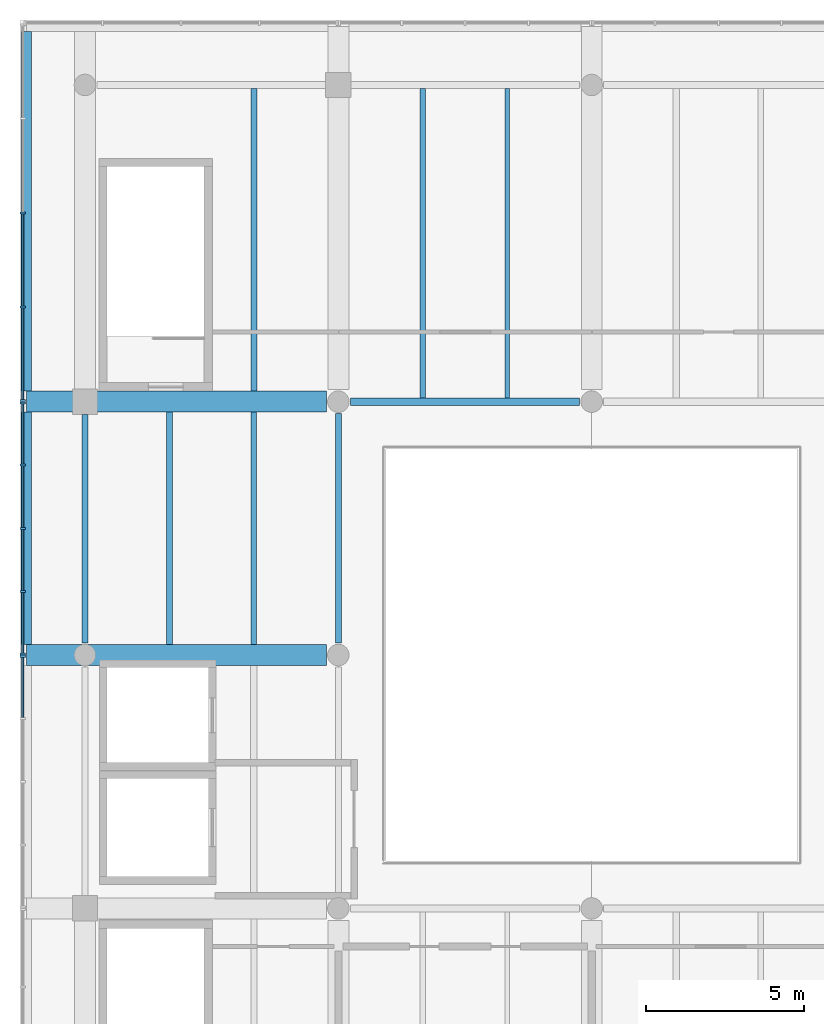
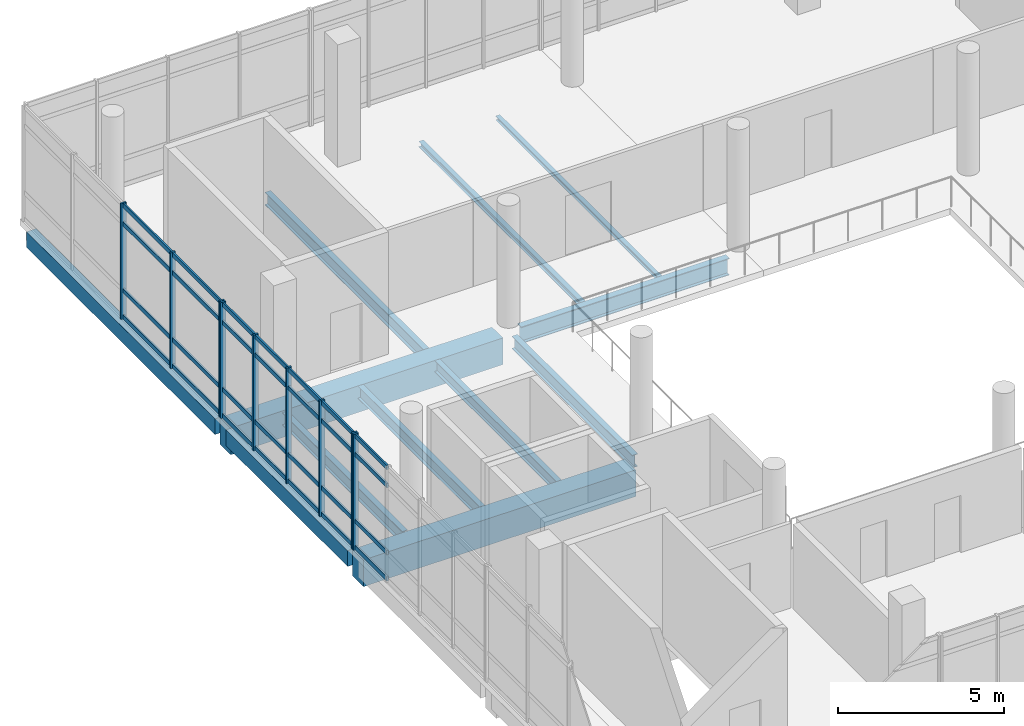
# One storey, part 5 of 15: 37 members, 12 beams, 3 elements without a shape of their own.
"""IFC4 building model written with IfcOpenShell, lengths in metres."""

import ifcopenshell
import ifcopenshell.guid

model = None  # the IFC model being written
_history = None  # IfcOwnerHistory: only IFC2X3 demands one
_inside = {}  # id of a spatial element -> (the spatial element, [elements in it])
_under = {}  # id of a project, library or spatial element -> (it, [spatial elements below it])
_declared = {}  # id of a project -> (the project, [libraries it declares])
_typed = {}  # id of a type object -> (the type object, [elements of that type])
_made_of = {}  # id of a material, layer set ... -> (it, [elements and type objects made of it])


def new_model(schema):
    """Start an empty IFC model of exactly this schema.

    Asked for "IFC4X3", IfcOpenShell would pick the latest addendum, in which some entities
    have other attributes; the version numbers below select the first issue.
    IFC2X3 requires an IfcOwnerHistory on every rooted entity: one is made here for all.
    """
    global model, _history
    if schema == "IFC4X3":
        model = ifcopenshell.file(schema_version=(4, 3, 0, 0))
    else:
        model = ifcopenshell.file(schema=schema)
    _inside.clear()
    _under.clear()
    _declared.clear()
    _typed.clear()
    _made_of.clear()
    _history = None
    if model.schema == "IFC2X3":
        org = make("IfcOrganization", Name="unknown")
        user = make(
            "IfcPersonAndOrganization",
            ThePerson=make("IfcPerson", FamilyName="unknown"),
            TheOrganization=org,
        )
        app = make(
            "IfcApplication",
            ApplicationDeveloper=org,
            Version="unknown",
            ApplicationFullName="unknown",
            ApplicationIdentifier="unknown",
        )
        _history = make(
            "IfcOwnerHistory",
            OwningUser=user,
            OwningApplication=app,
            ChangeAction="ADDED",
            CreationDate=0,
        )
    return model


def make(cls, **values):
    """One entity of the class cls with the attributes given. An attribute that is None is left unset."""
    return model.create_entity(
        cls, **{name: value for name, value in values.items() if value is not None}
    )


def rooted(cls, **values):
    """An entity with a GlobalId (a new one), such as an element, a storey or a relation."""
    return make(cls, GlobalId=ifcopenshell.guid.new(), OwnerHistory=_history, **values)


def si_unit(unit_type, name, prefix=None):
    """IfcSIUnit, for example si_unit("LENGTHUNIT", "METRE", prefix="MILLI")."""
    return make("IfcSIUnit", UnitType=unit_type, Prefix=prefix, Name=name)


def assignment(units):
    """IfcUnitAssignment: the units of a project."""
    return None if units is None else make("IfcUnitAssignment", Units=units)


def point(xyz):
    """IfcCartesianPoint."""
    return None if xyz is None else make("IfcCartesianPoint", Coordinates=xyz)


def direction(xyz):
    """IfcDirection."""
    return None if xyz is None else make("IfcDirection", DirectionRatios=xyz)


def frame(location, z_axis=None, x_axis=None):
    """IfcAxis2Placement3D, a coordinate frame: its origin and axes. An axis left out is left unset."""
    return make(
        "IfcAxis2Placement3D",
        Location=point(location),
        Axis=direction(z_axis),
        RefDirection=direction(x_axis),
    )


def frame_2d(location, x_axis=None):
    """IfcAxis2Placement2D, a coordinate frame in the plane: its origin and x axis."""
    return make(
        "IfcAxis2Placement2D", Location=point(location), RefDirection=direction(x_axis)
    )


def origin():
    """The frame at (0, 0, 0) with its axes left unset."""
    return frame((0.0, 0.0, 0.0))


def origin_2d():
    """The frame at (0, 0) in the plane with its x axis left unset."""
    return frame_2d((0.0, 0.0))


def place(relative_to, where):
    """IfcLocalPlacement: puts the frame where relative to a parent placement (None: the world)."""
    return make(
        "IfcLocalPlacement", PlacementRelTo=relative_to, RelativePlacement=where
    )


def context(
    kind, dimensions, precision=None, world=None, true_north=None, identifier=None
):
    """IfcGeometricRepresentationContext, for example the 3D "Model" context."""
    return make(
        "IfcGeometricRepresentationContext",
        ContextIdentifier=identifier,
        ContextType=kind,
        CoordinateSpaceDimension=dimensions,
        Precision=precision,
        WorldCoordinateSystem=world,
        TrueNorth=true_north,
    )


def subcontext(parent, identifier, kind, view, scale=None):
    """IfcGeometricRepresentationSubContext, for example "Body" below "Model"."""
    return make(
        "IfcGeometricRepresentationSubContext",
        ContextIdentifier=identifier,
        ContextType=kind,
        ParentContext=parent,
        TargetScale=scale,
        TargetView=view,
    )


def project(units=None, contexts=None):
    """IfcProject with its units and contexts."""
    return rooted(
        "IfcProject",
        Name="project",
        RepresentationContexts=contexts,
        UnitsInContext=assignment(units),
    )


def spatial(cls, under=None, at=None, **own):
    """A site, building, storey or space (cls), placed at a placement, below another one or the project."""
    s = rooted(cls, ObjectPlacement=at, **own)
    if under is not None:
        _under.setdefault(under.id(), (under, []))[1].append(s)
    return s


def profile(cls, at=None, kind="AREA", **sizes):
    """A parametric profile (cls). Its sizes go by their IFC names, for example OverallWidth=200.0."""
    return make(cls, ProfileType=kind, Position=at, **sizes)


def rectangle(**sizes):
    """IfcRectangleProfileDef."""
    return profile("IfcRectangleProfileDef", **sizes)


def i_section(**sizes):
    """IfcIShapeProfileDef."""
    return profile("IfcIShapeProfileDef", **sizes)


def extrude(swept, where, along, depth):
    """IfcExtrudedAreaSolid: the profile swept, set in the frame where, extruded along a direction by depth."""
    return make(
        "IfcExtrudedAreaSolid",
        SweptArea=swept,
        Position=where,
        ExtrudedDirection=direction(along),
        Depth=depth,
    )


def shape(context_of_items, identifier, shape_type, items):
    """IfcShapeRepresentation: the items that make up one representation, for example the "Body"."""
    return make(
        "IfcShapeRepresentation",
        ContextOfItems=context_of_items,
        RepresentationIdentifier=identifier,
        RepresentationType=shape_type,
        Items=items,
    )


def material(Name=None, Category=None):
    """IfcMaterial."""
    return make("IfcMaterial", Name=Name, Category=Category)


def material_profile(
    of_material, cross_section, Name=None, Category=None, Priority=None
):
    """IfcMaterialProfile: a cross section and its material."""
    return make(
        "IfcMaterialProfile",
        Name=Name,
        Material=of_material,
        Profile=cross_section,
        Priority=Priority,
        Category=Category,
    )


def profile_set(profiles, Name=None, composite=None):
    """IfcMaterialProfileSet."""
    return make(
        "IfcMaterialProfileSet",
        Name=Name,
        MaterialProfiles=profiles,
        CompositeProfile=composite,
    )


def made_of(thing, what):
    """Note that an element or type object is made of a material, layer set ...; save() writes the relation."""
    if what is not None:
        _made_of.setdefault(what.id(), (what, []))[1].append(thing)
    return thing


def type_object(cls, material=None, **own):
    """A type object (cls), such as IfcWallType, which elements share."""
    return made_of(rooted(cls, **own), material)


def element(
    cls,
    number,
    at=None,
    inside=None,
    cuts=None,
    type_object=None,
    material=None,
    context=None,
    identifier="Body",
    shape_type=None,
    held_by="IfcProductDefinitionShape",
    body=None,
    shapes=None,
    **own,
):
    """One element of the class cls, such as IfcWall. Its Tag is "e" and its number.

    at: its placement. inside: the storey or other place that contains it. cuts: it is an
    opening in that element (IfcRelVoidsElement). A single representation is given by context,
    identifier, shape_type and body (its items); several are given by shapes. held_by: the class
    of the entity that holds the representations. save() writes the other relations.
    """
    e = rooted(cls, Tag="e%d" % number, ObjectPlacement=at, **own)
    if body is not None:
        shapes = [shape(context, identifier, shape_type, body)]
    if shapes is not None:
        e.Representation = make(held_by, Representations=shapes)
    if inside is not None:
        _inside.setdefault(inside.id(), (inside, []))[1].append(e)
    if cuts is not None:
        rooted(
            "IfcRelVoidsElement", RelatingBuildingElement=cuts, RelatedOpeningElement=e
        )
    if type_object is not None:
        _typed.setdefault(type_object.id(), (type_object, []))[1].append(e)
    return made_of(e, material)


def aggregate(whole, parts):
    """IfcRelAggregates: a whole, such as a stair, and the parts it consists of."""
    return rooted("IfcRelAggregates", RelatingObject=whole, RelatedObjects=parts)


def save(model, path):
    """Write the relations noted so far, then the file.

    IfcRelAggregates (storeys below a building ...), IfcRelContainedInSpatialStructure (elements
    in a storey), IfcRelDefinesByType, IfcRelAssociatesMaterial and IfcRelDeclares: one each for
    every whole, place, type object, material and project.
    """
    for whole, parts in _under.values():
        aggregate(whole, parts)
    for where, things in _inside.values():
        rooted(
            "IfcRelContainedInSpatialStructure",
            RelatedElements=things,
            RelatingStructure=where,
        )
    for kind, things in _typed.values():
        rooted("IfcRelDefinesByType", RelatedObjects=things, RelatingType=kind)
    for what, things in _made_of.values():
        rooted("IfcRelAssociatesMaterial", RelatedObjects=things, RelatingMaterial=what)
    for by, libraries in _declared.values():
        rooted("IfcRelDeclares", RelatingContext=by, RelatedDefinitions=libraries)
    model.write(path)


model = new_model("IFC4")

# Units and contexts
model_context = context("Model", 3, precision=1e-05, world=origin(), true_north=direction((0.0, 1.0)))
body_context = subcontext(model_context, "Body", "Model", "MODEL_VIEW")
ifc_project = project(units=[si_unit("LENGTHUNIT", "METRE"), si_unit("AREAUNIT", "SQUARE_METRE"), si_unit("VOLUMEUNIT", "CUBIC_METRE"), si_unit("PLANEANGLEUNIT", "RADIAN"), si_unit("MASSUNIT", "GRAM", prefix="KILO")], contexts=[model_context])

# Site, building, storey
site_placement = place(None, origin())
site = spatial("IfcSite", under=ifc_project, at=site_placement, CompositionType="ELEMENT")
building_placement = place(site_placement, origin())
building = spatial("IfcBuilding", under=site, at=building_placement, Name="Pecanmere Concourse Central Library", CompositionType="ELEMENT")
storey_placement = place(building_placement, frame((0.0, 0.0, 30.300048828125)))
storey = spatial("IfcBuildingStorey", under=building, at=storey_placement, Name="L07", CompositionType="ELEMENT", Elevation=30.300048828125)

# Curtain wall, members
ifc_material_1 = material(Name="Anodized bronze aluminium alloy 6063-T6", Category="aluminium")
curtain_wall_type = type_object("IfcCurtainWallType", Name="CW_PLUMB_BANDED", PredefinedType="USERDEFINED", material=ifc_material_1)
curtain_wall_1_placement = place(storey_placement, origin())
curtain_wall_1 = element("IfcCurtainWall", 1, at=curtain_wall_1_placement, inside=storey, type_object=curtain_wall_type, Name="Unitised Curtain Wall CW-02 L07-097", ObjectType="UNITISED CURTAIN WALL", PredefinedType="USERDEFINED")
ifc_material_2 = material(Name="Anodized bronze aluminium alloy 6063-T6", Category="aluminium")
ifc_material_profile_1 = material_profile(ifc_material_2, rectangle(XDim=0.06494140625, YDim=0.179931640625, at=origin_2d()), Name="AL 65x180")
ifc_profile_set_1 = profile_set([ifc_material_profile_1], Name="Anodized bronze aluminium alloy 6063-T6")
member_type_1 = type_object("IfcMemberType", Name="CWM_180x65", PredefinedType="MULLION", material=ifc_profile_set_1)
member_1_placement = place(storey_placement, frame((70.03857421875, 119.963134765625, 0.0), z_axis=(0.0, 0.0, 1.0), x_axis=(0.0, -1.0, 0.0)))
member_1 = element("IfcMember", 2, at=member_1_placement, type_object=member_type_1, Name="CW-02 Mullion 3", PredefinedType="MULLION", context=body_context, shape_type="SweptSolid", body=[
    extrude(rectangle(XDim=0.06494140625, YDim=0.179931640625, at=origin_2d()), origin(), (0.0, 0.0, 1.0), 4.260009765625),
])
member_2_placement = place(storey_placement, frame((70.03857421875, 116.984130859375, 0.0), z_axis=(0.0, 0.0, 1.0), x_axis=(0.0, -1.0, 0.0)))
member_2 = element("IfcMember", 3, at=member_2_placement, type_object=member_type_1, Name="CW-02 Mullion 4", PredefinedType="MULLION", context=body_context, shape_type="SweptSolid", body=[
    extrude(rectangle(XDim=0.06494140625, YDim=0.179931640625, at=origin_2d()), origin(), (0.0, 0.0, 1.0), 4.260009765625),
])
member_3_placement = place(storey_placement, frame((70.03857421875, 114.03759765625, 0.0), z_axis=(0.0, 0.0, 1.0), x_axis=(0.0, -1.0, 0.0)))
member_3 = element("IfcMember", 4, at=member_3_placement, type_object=member_type_1, Name="CW-02 Mullion 5", PredefinedType="MULLION", context=body_context, shape_type="SweptSolid", body=[
    extrude(rectangle(XDim=0.06494140625, YDim=0.179931640625, at=origin_2d()), origin(), (0.0, 0.0, 1.0), 4.260009765625),
])

curtain_wall_2_placement = place(storey_placement, origin())
curtain_wall_2 = element("IfcCurtainWall", 5, at=curtain_wall_2_placement, inside=storey, type_object=curtain_wall_type, Name="Unitised Curtain Wall CW-02 L07-098", ObjectType="UNITISED CURTAIN WALL", PredefinedType="USERDEFINED")
member_4_placement = place(storey_placement, frame((70.03857421875, 113.96240234375, 0.0), z_axis=(0.0, 0.0, 1.0), x_axis=(0.0, -1.0, 0.0)))
member_4 = element("IfcMember", 6, at=member_4_placement, type_object=member_type_1, Name="CW-02 Mullion 1", PredefinedType="MULLION", context=body_context, shape_type="SweptSolid", body=[
    extrude(rectangle(XDim=0.06494140625, YDim=0.179931640625, at=origin_2d()), origin(), (0.0, 0.0, 1.0), 4.260009765625),
])
member_5_placement = place(storey_placement, frame((70.03857421875, 111.99755859375, 0.0), z_axis=(0.0, 0.0, 1.0), x_axis=(0.0, -1.0, 0.0)))
member_5 = element("IfcMember", 7, at=member_5_placement, type_object=member_type_1, Name="CW-02 Mullion 2", PredefinedType="MULLION", context=body_context, shape_type="SweptSolid", body=[
    extrude(rectangle(XDim=0.06494140625, YDim=0.179931640625, at=origin_2d()), origin(), (0.0, 0.0, 1.0), 4.260009765625),
])
member_6_placement = place(storey_placement, frame((70.03857421875, 110.0, 0.0), z_axis=(0.0, 0.0, 1.0), x_axis=(0.0, -1.0, 0.0)))
member_6 = element("IfcMember", 8, at=member_6_placement, type_object=member_type_1, Name="CW-02 Mullion 3", PredefinedType="MULLION", context=body_context, shape_type="SweptSolid", body=[
    extrude(rectangle(XDim=0.06494140625, YDim=0.179931640625, at=origin_2d()), origin(), (0.0, 0.0, 1.0), 4.260009765625),
])
member_7_placement = place(storey_placement, frame((70.03857421875, 108.00244140625, 0.0), z_axis=(0.0, 0.0, 1.0), x_axis=(0.0, -1.0, 0.0)))
member_7 = element("IfcMember", 9, at=member_7_placement, type_object=member_type_1, Name="CW-02 Mullion 4", PredefinedType="MULLION", context=body_context, shape_type="SweptSolid", body=[
    extrude(rectangle(XDim=0.06494140625, YDim=0.179931640625, at=origin_2d()), origin(), (0.0, 0.0, 1.0), 4.260009765625),
])
member_8_placement = place(storey_placement, frame((70.03857421875, 106.03759765625, 0.0), z_axis=(0.0, 0.0, 1.0), x_axis=(0.0, -1.0, 0.0)))
member_8 = element("IfcMember", 10, at=member_8_placement, type_object=member_type_1, Name="CW-02 Mullion 5", PredefinedType="MULLION", context=body_context, shape_type="SweptSolid", body=[
    extrude(rectangle(XDim=0.06494140625, YDim=0.179931640625, at=origin_2d()), origin(), (0.0, 0.0, 1.0), 4.260009765625),
])

# Curtain wall, member
curtain_wall_3_placement = place(storey_placement, origin())
curtain_wall_3 = element("IfcCurtainWall", 11, at=curtain_wall_3_placement, inside=storey, type_object=curtain_wall_type, Name="Unitised Curtain Wall CW-02 L07-099", ObjectType="UNITISED CURTAIN WALL", PredefinedType="USERDEFINED")
member_9_placement = place(storey_placement, frame((70.03857421875, 105.96240234375, 0.0), z_axis=(0.0, 0.0, 1.0), x_axis=(0.0, -1.0, 0.0)))
member_9 = element("IfcMember", 12, at=member_9_placement, type_object=member_type_1, Name="CW-02 Mullion 1", PredefinedType="MULLION", context=body_context, shape_type="SweptSolid", body=[
    extrude(rectangle(XDim=0.06494140625, YDim=0.179931640625, at=origin_2d()), origin(), (0.0, 0.0, 1.0), 4.260009765625),
])

# Member
ifc_material_3 = material(Name="Anodized bronze aluminium alloy 6063-T6", Category="aluminium")
ifc_material_profile_2 = material_profile(ifc_material_3, rectangle(XDim=0.06005859375, YDim=0.159912109375, at=origin_2d()), Name="AL 60x160")
ifc_profile_set_2 = profile_set([ifc_material_profile_2], Name="Anodized bronze aluminium alloy 6063-T6")
member_type_2 = type_object("IfcMemberType", Name="CWT_160x60", PredefinedType="USERDEFINED", material=ifc_profile_set_2)
member_10_placement = place(storey_placement, frame((70.03857421875, 119.9306640625, 0.079833984375), z_axis=(0.0, -1.0, 0.0), x_axis=(1.0, 0.0, 0.0)))
member_10 = element("IfcMember", 13, at=member_10_placement, type_object=member_type_2, Name="CW-02 Transom 3.1", ObjectType="TRANSOM", PredefinedType="USERDEFINED", context=body_context, shape_type="SweptSolid", body=[
    extrude(rectangle(XDim=0.06005859375, YDim=0.159912109375, at=origin_2d()), origin(), (0.0, 0.0, 1.0), 2.9140625),
])

member_11_placement = place(storey_placement, frame((70.03857421875, 119.9306640625, 1.050048828125), z_axis=(0.0, -1.0, 0.0), x_axis=(1.0, 0.0, 0.0)))
member_11 = element("IfcMember", 14, at=member_11_placement, type_object=member_type_2, Name="CW-02 Transom 3.2", ObjectType="TRANSOM", PredefinedType="USERDEFINED", context=body_context, shape_type="SweptSolid", body=[
    extrude(rectangle(XDim=0.06005859375, YDim=0.159912109375, at=origin_2d()), origin(), (0.0, 0.0, 1.0), 2.9140625),
])

member_12_placement = place(storey_placement, frame((70.03857421875, 119.9306640625, 3.510009765625), z_axis=(0.0, -1.0, 0.0), x_axis=(1.0, 0.0, 0.0)))
member_12 = element("IfcMember", 15, at=member_12_placement, type_object=member_type_2, Name="CW-02 Transom 3.3", ObjectType="TRANSOM", PredefinedType="USERDEFINED", context=body_context, shape_type="SweptSolid", body=[
    extrude(rectangle(XDim=0.06005859375, YDim=0.159912109375, at=origin_2d()), origin(), (0.0, 0.0, 1.0), 2.9140625),
])

member_13_placement = place(storey_placement, frame((70.03857421875, 119.9306640625, 4.179931640625), z_axis=(0.0, -1.0, 0.0), x_axis=(1.0, 0.0, 0.0)))
member_13 = element("IfcMember", 16, at=member_13_placement, type_object=member_type_2, Name="CW-02 Transom 3.4", ObjectType="TRANSOM", PredefinedType="USERDEFINED", context=body_context, shape_type="SweptSolid", body=[
    extrude(rectangle(XDim=0.06005859375, YDim=0.159912109375, at=origin_2d()), origin(), (0.0, 0.0, 1.0), 2.9140625),
])

member_14_placement = place(storey_placement, frame((70.03857421875, 116.95166015625, 0.079833984375), z_axis=(0.0, -1.0, 0.0), x_axis=(1.0, 0.0, 0.0)))
member_14 = element("IfcMember", 17, at=member_14_placement, type_object=member_type_2, Name="CW-02 Transom 4.1", ObjectType="TRANSOM", PredefinedType="USERDEFINED", context=body_context, shape_type="SweptSolid", body=[
    extrude(rectangle(XDim=0.06005859375, YDim=0.159912109375, at=origin_2d()), origin(), (0.0, 0.0, 1.0), 2.881591796875),
])

member_15_placement = place(storey_placement, frame((70.03857421875, 116.95166015625, 1.050048828125), z_axis=(0.0, -1.0, 0.0), x_axis=(1.0, 0.0, 0.0)))
member_15 = element("IfcMember", 18, at=member_15_placement, type_object=member_type_2, Name="CW-02 Transom 4.2", ObjectType="TRANSOM", PredefinedType="USERDEFINED", context=body_context, shape_type="SweptSolid", body=[
    extrude(rectangle(XDim=0.06005859375, YDim=0.159912109375, at=origin_2d()), origin(), (0.0, 0.0, 1.0), 2.881591796875),
])

member_16_placement = place(storey_placement, frame((70.03857421875, 116.95166015625, 3.510009765625), z_axis=(0.0, -1.0, 0.0), x_axis=(1.0, 0.0, 0.0)))
member_16 = element("IfcMember", 19, at=member_16_placement, type_object=member_type_2, Name="CW-02 Transom 4.3", ObjectType="TRANSOM", PredefinedType="USERDEFINED", context=body_context, shape_type="SweptSolid", body=[
    extrude(rectangle(XDim=0.06005859375, YDim=0.159912109375, at=origin_2d()), origin(), (0.0, 0.0, 1.0), 2.881591796875),
])

member_17_placement = place(storey_placement, frame((70.03857421875, 116.95166015625, 4.179931640625), z_axis=(0.0, -1.0, 0.0), x_axis=(1.0, 0.0, 0.0)))
member_17 = element("IfcMember", 20, at=member_17_placement, type_object=member_type_2, Name="CW-02 Transom 4.4", ObjectType="TRANSOM", PredefinedType="USERDEFINED", context=body_context, shape_type="SweptSolid", body=[
    extrude(rectangle(XDim=0.06005859375, YDim=0.159912109375, at=origin_2d()), origin(), (0.0, 0.0, 1.0), 2.881591796875),
])

aggregate(curtain_wall_1, [member_1, member_2, member_3, member_10, member_11, member_12, member_13, member_14, member_15, member_16, member_17])

member_18_placement = place(storey_placement, frame((70.03857421875, 113.929931640625, 0.079833984375), z_axis=(0.0, -1.0, 0.0), x_axis=(1.0, 0.0, 0.0)))
member_18 = element("IfcMember", 21, at=member_18_placement, type_object=member_type_2, Name="CW-02 Transom 1.1", ObjectType="TRANSOM", PredefinedType="USERDEFINED", context=body_context, shape_type="SweptSolid", body=[
    extrude(rectangle(XDim=0.06005859375, YDim=0.159912109375, at=origin_2d()), origin(), (0.0, 0.0, 1.0), 1.89990234375),
])

member_19_placement = place(storey_placement, frame((70.03857421875, 113.929931640625, 1.050048828125), z_axis=(0.0, -1.0, 0.0), x_axis=(1.0, 0.0, 0.0)))
member_19 = element("IfcMember", 22, at=member_19_placement, type_object=member_type_2, Name="CW-02 Transom 1.2", ObjectType="TRANSOM", PredefinedType="USERDEFINED", context=body_context, shape_type="SweptSolid", body=[
    extrude(rectangle(XDim=0.06005859375, YDim=0.159912109375, at=origin_2d()), origin(), (0.0, 0.0, 1.0), 1.89990234375),
])

member_20_placement = place(storey_placement, frame((70.03857421875, 113.929931640625, 3.510009765625), z_axis=(0.0, -1.0, 0.0), x_axis=(1.0, 0.0, 0.0)))
member_20 = element("IfcMember", 23, at=member_20_placement, type_object=member_type_2, Name="CW-02 Transom 1.3", ObjectType="TRANSOM", PredefinedType="USERDEFINED", context=body_context, shape_type="SweptSolid", body=[
    extrude(rectangle(XDim=0.06005859375, YDim=0.159912109375, at=origin_2d()), origin(), (0.0, 0.0, 1.0), 1.89990234375),
])

member_21_placement = place(storey_placement, frame((70.03857421875, 113.929931640625, 4.179931640625), z_axis=(0.0, -1.0, 0.0), x_axis=(1.0, 0.0, 0.0)))
member_21 = element("IfcMember", 24, at=member_21_placement, type_object=member_type_2, Name="CW-02 Transom 1.4", ObjectType="TRANSOM", PredefinedType="USERDEFINED", context=body_context, shape_type="SweptSolid", body=[
    extrude(rectangle(XDim=0.06005859375, YDim=0.159912109375, at=origin_2d()), origin(), (0.0, 0.0, 1.0), 1.89990234375),
])

member_22_placement = place(storey_placement, frame((70.03857421875, 111.965087890625, 0.079833984375), z_axis=(0.0, -1.0, 0.0), x_axis=(1.0, 0.0, 0.0)))
member_22 = element("IfcMember", 25, at=member_22_placement, type_object=member_type_2, Name="CW-02 Transom 2.1", ObjectType="TRANSOM", PredefinedType="USERDEFINED", context=body_context, shape_type="SweptSolid", body=[
    extrude(rectangle(XDim=0.06005859375, YDim=0.159912109375, at=origin_2d()), origin(), (0.0, 0.0, 1.0), 1.9326171875),
])

member_23_placement = place(storey_placement, frame((70.03857421875, 111.965087890625, 1.050048828125), z_axis=(0.0, -1.0, 0.0), x_axis=(1.0, 0.0, 0.0)))
member_23 = element("IfcMember", 26, at=member_23_placement, type_object=member_type_2, Name="CW-02 Transom 2.2", ObjectType="TRANSOM", PredefinedType="USERDEFINED", context=body_context, shape_type="SweptSolid", body=[
    extrude(rectangle(XDim=0.06005859375, YDim=0.159912109375, at=origin_2d()), origin(), (0.0, 0.0, 1.0), 1.9326171875),
])

member_24_placement = place(storey_placement, frame((70.03857421875, 111.965087890625, 3.510009765625), z_axis=(0.0, -1.0, 0.0), x_axis=(1.0, 0.0, 0.0)))
member_24 = element("IfcMember", 27, at=member_24_placement, type_object=member_type_2, Name="CW-02 Transom 2.3", ObjectType="TRANSOM", PredefinedType="USERDEFINED", context=body_context, shape_type="SweptSolid", body=[
    extrude(rectangle(XDim=0.06005859375, YDim=0.159912109375, at=origin_2d()), origin(), (0.0, 0.0, 1.0), 1.9326171875),
])

member_25_placement = place(storey_placement, frame((70.03857421875, 111.965087890625, 4.179931640625), z_axis=(0.0, -1.0, 0.0), x_axis=(1.0, 0.0, 0.0)))
member_25 = element("IfcMember", 28, at=member_25_placement, type_object=member_type_2, Name="CW-02 Transom 2.4", ObjectType="TRANSOM", PredefinedType="USERDEFINED", context=body_context, shape_type="SweptSolid", body=[
    extrude(rectangle(XDim=0.06005859375, YDim=0.159912109375, at=origin_2d()), origin(), (0.0, 0.0, 1.0), 1.9326171875),
])

member_26_placement = place(storey_placement, frame((70.03857421875, 109.967529296875, 0.079833984375), z_axis=(0.0, -1.0, 0.0), x_axis=(1.0, 0.0, 0.0)))
member_26 = element("IfcMember", 29, at=member_26_placement, type_object=member_type_2, Name="CW-02 Transom 3.1", ObjectType="TRANSOM", PredefinedType="USERDEFINED", context=body_context, shape_type="SweptSolid", body=[
    extrude(rectangle(XDim=0.06005859375, YDim=0.159912109375, at=origin_2d()), origin(), (0.0, 0.0, 1.0), 1.9326171875),
])

member_27_placement = place(storey_placement, frame((70.03857421875, 109.967529296875, 1.050048828125), z_axis=(0.0, -1.0, 0.0), x_axis=(1.0, 0.0, 0.0)))
member_27 = element("IfcMember", 30, at=member_27_placement, type_object=member_type_2, Name="CW-02 Transom 3.2", ObjectType="TRANSOM", PredefinedType="USERDEFINED", context=body_context, shape_type="SweptSolid", body=[
    extrude(rectangle(XDim=0.06005859375, YDim=0.159912109375, at=origin_2d()), origin(), (0.0, 0.0, 1.0), 1.9326171875),
])

member_28_placement = place(storey_placement, frame((70.03857421875, 109.967529296875, 3.510009765625), z_axis=(0.0, -1.0, 0.0), x_axis=(1.0, 0.0, 0.0)))
member_28 = element("IfcMember", 31, at=member_28_placement, type_object=member_type_2, Name="CW-02 Transom 3.3", ObjectType="TRANSOM", PredefinedType="USERDEFINED", context=body_context, shape_type="SweptSolid", body=[
    extrude(rectangle(XDim=0.06005859375, YDim=0.159912109375, at=origin_2d()), origin(), (0.0, 0.0, 1.0), 1.9326171875),
])

member_29_placement = place(storey_placement, frame((70.03857421875, 109.967529296875, 4.179931640625), z_axis=(0.0, -1.0, 0.0), x_axis=(1.0, 0.0, 0.0)))
member_29 = element("IfcMember", 32, at=member_29_placement, type_object=member_type_2, Name="CW-02 Transom 3.4", ObjectType="TRANSOM", PredefinedType="USERDEFINED", context=body_context, shape_type="SweptSolid", body=[
    extrude(rectangle(XDim=0.06005859375, YDim=0.159912109375, at=origin_2d()), origin(), (0.0, 0.0, 1.0), 1.9326171875),
])

member_30_placement = place(storey_placement, frame((70.03857421875, 107.969970703125, 0.079833984375), z_axis=(0.0, -1.0, 0.0), x_axis=(1.0, 0.0, 0.0)))
member_30 = element("IfcMember", 33, at=member_30_placement, type_object=member_type_2, Name="CW-02 Transom 4.1", ObjectType="TRANSOM", PredefinedType="USERDEFINED", context=body_context, shape_type="SweptSolid", body=[
    extrude(rectangle(XDim=0.06005859375, YDim=0.159912109375, at=origin_2d()), origin(), (0.0, 0.0, 1.0), 1.89990234375),
])

member_31_placement = place(storey_placement, frame((70.03857421875, 107.969970703125, 1.050048828125), z_axis=(0.0, -1.0, 0.0), x_axis=(1.0, 0.0, 0.0)))
member_31 = element("IfcMember", 34, at=member_31_placement, type_object=member_type_2, Name="CW-02 Transom 4.2", ObjectType="TRANSOM", PredefinedType="USERDEFINED", context=body_context, shape_type="SweptSolid", body=[
    extrude(rectangle(XDim=0.06005859375, YDim=0.159912109375, at=origin_2d()), origin(), (0.0, 0.0, 1.0), 1.89990234375),
])

member_32_placement = place(storey_placement, frame((70.03857421875, 107.969970703125, 3.510009765625), z_axis=(0.0, -1.0, 0.0), x_axis=(1.0, 0.0, 0.0)))
member_32 = element("IfcMember", 35, at=member_32_placement, type_object=member_type_2, Name="CW-02 Transom 4.3", ObjectType="TRANSOM", PredefinedType="USERDEFINED", context=body_context, shape_type="SweptSolid", body=[
    extrude(rectangle(XDim=0.06005859375, YDim=0.159912109375, at=origin_2d()), origin(), (0.0, 0.0, 1.0), 1.89990234375),
])

member_33_placement = place(storey_placement, frame((70.03857421875, 107.969970703125, 4.179931640625), z_axis=(0.0, -1.0, 0.0), x_axis=(1.0, 0.0, 0.0)))
member_33 = element("IfcMember", 36, at=member_33_placement, type_object=member_type_2, Name="CW-02 Transom 4.4", ObjectType="TRANSOM", PredefinedType="USERDEFINED", context=body_context, shape_type="SweptSolid", body=[
    extrude(rectangle(XDim=0.06005859375, YDim=0.159912109375, at=origin_2d()), origin(), (0.0, 0.0, 1.0), 1.89990234375),
])

aggregate(curtain_wall_2, [member_4, member_5, member_6, member_7, member_8, member_18, member_19, member_20, member_21, member_22, member_23, member_24, member_25, member_26, member_27, member_28, member_29, member_30, member_31, member_32, member_33])

member_34_placement = place(storey_placement, frame((70.03857421875, 105.929931640625, 0.079833984375), z_axis=(0.0, -1.0, 0.0), x_axis=(1.0, 0.0, 0.0)))
member_34 = element("IfcMember", 37, at=member_34_placement, type_object=member_type_2, Name="CW-02 Transom 1.1", ObjectType="TRANSOM", PredefinedType="USERDEFINED", context=body_context, shape_type="SweptSolid", body=[
    extrude(rectangle(XDim=0.06005859375, YDim=0.159912109375, at=origin_2d()), origin(), (0.0, 0.0, 1.0), 1.89990234375),
])

member_35_placement = place(storey_placement, frame((70.03857421875, 105.929931640625, 1.050048828125), z_axis=(0.0, -1.0, 0.0), x_axis=(1.0, 0.0, 0.0)))
member_35 = element("IfcMember", 38, at=member_35_placement, type_object=member_type_2, Name="CW-02 Transom 1.2", ObjectType="TRANSOM", PredefinedType="USERDEFINED", context=body_context, shape_type="SweptSolid", body=[
    extrude(rectangle(XDim=0.06005859375, YDim=0.159912109375, at=origin_2d()), origin(), (0.0, 0.0, 1.0), 1.89990234375),
])

member_36_placement = place(storey_placement, frame((70.03857421875, 105.929931640625, 3.510009765625), z_axis=(0.0, -1.0, 0.0), x_axis=(1.0, 0.0, 0.0)))
member_36 = element("IfcMember", 39, at=member_36_placement, type_object=member_type_2, Name="CW-02 Transom 1.3", ObjectType="TRANSOM", PredefinedType="USERDEFINED", context=body_context, shape_type="SweptSolid", body=[
    extrude(rectangle(XDim=0.06005859375, YDim=0.159912109375, at=origin_2d()), origin(), (0.0, 0.0, 1.0), 1.89990234375),
])

member_37_placement = place(storey_placement, frame((70.03857421875, 105.929931640625, 4.179931640625), z_axis=(0.0, -1.0, 0.0), x_axis=(1.0, 0.0, 0.0)))
member_37 = element("IfcMember", 40, at=member_37_placement, type_object=member_type_2, Name="CW-02 Transom 1.4", ObjectType="TRANSOM", PredefinedType="USERDEFINED", context=body_context, shape_type="SweptSolid", body=[
    extrude(rectangle(XDim=0.06005859375, YDim=0.159912109375, at=origin_2d()), origin(), (0.0, 0.0, 1.0), 1.89990234375),
])

aggregate(curtain_wall_3, [member_9, member_34, member_35, member_36, member_37])

# Beams
ifc_material_4 = material(Name="Concrete C40/50", Category="concrete")
ifc_material_profile_3 = material_profile(ifc_material_4, rectangle(XDim=0.659912109375, YDim=0.97998046875, at=origin_2d()), Name="RC 660x980")
ifc_profile_set_3 = profile_set([ifc_material_profile_3], Name="Concrete C40/50")
beam_type_1 = type_object("IfcBeamType", Name="GRD_660x980", PredefinedType="USERDEFINED", material=ifc_profile_set_3)
for number, where, z_axis, x_axis, name in (
    (41, (70.1484375, 106.0, -0.75), (1.0, 0.0, 0.0), (0.0, 1.0, 0.0), "Primary Girder X L07-2794"),
    (42, (70.1484375, 114.0, -0.75), (1.0, 0.0, 0.0), (0.0, 1.0, 0.0), "Primary Girder X L07-2796"),
):
    element("IfcBeam", number, at=place(storey_placement, frame(where, z_axis=z_axis, x_axis=x_axis)), inside=storey, type_object=beam_type_1, Name=name, ObjectType="GIRDER", PredefinedType="USERDEFINED", context=body_context, shape_type="SweptSolid", body=[
        extrude(rectangle(XDim=0.659912109375, YDim=0.97998046875, at=origin_2d()), origin(), (0.0, 0.0, 1.0), 9.4716796875),
    ])
ifc_material_5 = material(Name="Structural steel ASTM A992 Grade 50", Category="steel")
ifc_material_profile_4 = material_profile(ifc_material_5, i_section(OverallWidth=0.152099609375, OverallDepth=0.152099609375, WebThickness=0.005859375, FlangeThickness=0.006591796875, at=origin_2d()), Name="W150x22.5")
ifc_profile_set_4 = profile_set([ifc_material_profile_4], Name="Structural steel ASTM A992 Grade 50")
beam_type_2 = type_object("IfcBeamType", Name="SBM_W150x22", PredefinedType="LINTEL", material=ifc_profile_set_4)
beam_1_placement = place(storey_placement, frame((85.333251953125, 114.114990234375, -0.3359375), z_axis=(0.0, 1.0, 0.0), x_axis=(-1.0, 0.0, 0.0)))
element("IfcBeam", 43, at=beam_1_placement, inside=storey, type_object=beam_type_2, Name="Secondary Floor Joist L07-2846", PredefinedType="LINTEL", context=body_context, shape_type="SweptSolid", body=[
    extrude(i_section(OverallWidth=0.152099609375, OverallDepth=0.152099609375, WebThickness=0.005859375, FlangeThickness=0.006591796875, at=origin_2d()), origin(), (0.0, 0.0, 1.0), 9.77001953125),
])
ifc_material_6 = material(Name="Structural steel ASTM A992 Grade 50", Category="steel")
ifc_material_profile_5 = material_profile(ifc_material_6, i_section(OverallWidth=0.1650390625, OverallDepth=0.200927734375, WebThickness=0.006103515625, FlangeThickness=0.01025390625, at=origin_2d()), Name="W200x35.9")
ifc_profile_set_5 = profile_set([ifc_material_profile_5], Name="Structural steel ASTM A992 Grade 50")
beam_type_3 = type_object("IfcBeamType", Name="SBM_W200x36", PredefinedType="LINTEL", material=ifc_profile_set_5)
beam_2_placement = place(storey_placement, frame((82.666748046875, 114.114990234375, -0.360595703125), z_axis=(0.0, 1.0, 0.0), x_axis=(-1.0, 0.0, 0.0)))
element("IfcBeam", 44, at=beam_2_placement, inside=storey, type_object=beam_type_3, Name="Secondary Floor Joist L07-2845", PredefinedType="LINTEL", context=body_context, shape_type="SweptSolid", body=[
    extrude(i_section(OverallWidth=0.1650390625, OverallDepth=0.200927734375, WebThickness=0.006103515625, FlangeThickness=0.01025390625, at=origin_2d()), origin(), (0.0, 0.0, 1.0), 9.77001953125),
])
ifc_material_7 = material(Name="Structural steel ASTM A992 Grade 50", Category="steel")
ifc_material_profile_6 = material_profile(ifc_material_7, i_section(OverallWidth=0.180908203125, OverallDepth=0.4169921875, WebThickness=0.010986328125, FlangeThickness=0.018310546875, at=origin_2d()), Name="W410x85")
ifc_profile_set_6 = profile_set([ifc_material_profile_6], Name="Structural steel ASTM A992 Grade 50")
beam_type_4 = type_object("IfcBeamType", Name="SBM_W410x85", PredefinedType="BEAM", material=ifc_profile_set_6)
beam_3_placement = place(storey_placement, frame((77.333251953125, 106.330078125, -0.468505859375), z_axis=(0.0, 1.0, 0.0), x_axis=(-1.0, 0.0, 0.0)))
element("IfcBeam", 45, at=beam_3_placement, inside=storey, type_object=beam_type_4, Name="Secondary Floor Joist L07-2841", PredefinedType="BEAM", context=body_context, shape_type="SweptSolid", body=[
    extrude(i_section(OverallWidth=0.180908203125, OverallDepth=0.4169921875, WebThickness=0.010986328125, FlangeThickness=0.018310546875, at=origin_2d()), origin(), (0.0, 0.0, 1.0), 7.33984375),
])
ifc_material_8 = material(Name="Structural steel ASTM A992 Grade 50", Category="steel")
ifc_material_profile_7 = material_profile(ifc_material_8, i_section(OverallWidth=0.194091796875, OverallDepth=0.468994140625, WebThickness=0.0126953125, FlangeThickness=0.0205078125, at=origin_2d()), Name="W460x106")
ifc_profile_set_7 = profile_set([ifc_material_profile_7], Name="Structural steel ASTM A992 Grade 50")
beam_type_5 = type_object("IfcBeamType", Name="SBM_W460x106", PredefinedType="USERDEFINED", material=ifc_profile_set_7)
beam_4_placement = place(storey_placement, frame((72.0, 106.3798828125, -0.49462890625), z_axis=(0.0, 1.0, 0.0), x_axis=(-1.0, 0.0, 0.0)))
element("IfcBeam", 46, at=beam_4_placement, inside=storey, type_object=beam_type_5, Name="Primary Girder Y L07-2806", ObjectType="GIRDER", PredefinedType="USERDEFINED", context=body_context, shape_type="SweptSolid", body=[
    extrude(i_section(OverallWidth=0.194091796875, OverallDepth=0.468994140625, WebThickness=0.0126953125, FlangeThickness=0.0205078125, at=origin_2d()), origin(), (0.0, 0.0, 1.0), 7.22021484375),
])
beam_5_placement = place(storey_placement, frame((80.0, 106.3798828125, -0.49462890625), z_axis=(0.0, 1.0, 0.0), x_axis=(-1.0, 0.0, 0.0)))
element("IfcBeam", 47, at=beam_5_placement, inside=storey, type_object=beam_type_5, Name="Primary Girder Y L07-2810", ObjectType="GIRDER", PredefinedType="USERDEFINED", context=body_context, shape_type="SweptSolid", body=[
    extrude(i_section(OverallWidth=0.194091796875, OverallDepth=0.468994140625, WebThickness=0.0126953125, FlangeThickness=0.0205078125, at=origin_2d()), origin(), (0.0, 0.0, 1.0), 7.240234375),
])
beam_6_placement = place(storey_placement, frame((77.333251953125, 114.330078125, -0.49462890625), z_axis=(0.0, 1.0, 0.0), x_axis=(-1.0, 0.0, 0.0)))
element("IfcBeam", 48, at=beam_6_placement, inside=storey, type_object=beam_type_5, Name="Secondary Floor Joist L07-2842", ObjectType="GIRDER", PredefinedType="USERDEFINED", context=body_context, shape_type="SweptSolid", body=[
    extrude(i_section(OverallWidth=0.194091796875, OverallDepth=0.468994140625, WebThickness=0.0126953125, FlangeThickness=0.0205078125, at=origin_2d()), origin(), (0.0, 0.0, 1.0), 9.554931640625),
])
ifc_material_9 = material(Name="Structural steel ASTM A992 Grade 50", Category="steel")
ifc_material_profile_8 = material_profile(ifc_material_9, i_section(OverallWidth=0.18994140625, OverallDepth=0.45703125, WebThickness=0.009033203125, FlangeThickness=0.014404296875, at=origin_2d()), Name="W460x74")
ifc_profile_set_8 = profile_set([ifc_material_profile_8], Name="Structural steel ASTM A992 Grade 50")
beam_type_6 = type_object("IfcBeamType", Name="SBM_W460x74", PredefinedType="BEAM", material=ifc_profile_set_8)
beam_7_placement = place(storey_placement, frame((74.666748046875, 106.330078125, -0.488525390625), z_axis=(0.0, 1.0, 0.0), x_axis=(-1.0, 0.0, 0.0)))
element("IfcBeam", 49, at=beam_7_placement, inside=storey, type_object=beam_type_6, Name="Secondary Floor Joist L07-2840", PredefinedType="BEAM", context=body_context, shape_type="SweptSolid", body=[
    extrude(i_section(OverallWidth=0.18994140625, OverallDepth=0.45703125, WebThickness=0.009033203125, FlangeThickness=0.014404296875, at=origin_2d()), origin(), (0.0, 0.0, 1.0), 7.33984375),
])
ifc_material_10 = material(Name="Structural steel ASTM A992 Grade 50", Category="steel")
ifc_material_profile_9 = material_profile(ifc_material_10, i_section(OverallWidth=0.22998046875, OverallDepth=0.616943359375, WebThickness=0.01318359375, FlangeThickness=0.022216796875, at=origin_2d()), Name="W610x140")
ifc_profile_set_9 = profile_set([ifc_material_profile_9], Name="Structural steel ASTM A992 Grade 50")
beam_type_7 = type_object("IfcBeamType", Name="SBM_W610x140", PredefinedType="USERDEFINED", material=ifc_profile_set_9)
beam_8_placement = place(storey_placement, frame((80.3798828125, 114.0, -0.568603515625), z_axis=(1.0, 0.0, 0.0), x_axis=(0.0, 1.0, 0.0)))
element("IfcBeam", 50, at=beam_8_placement, inside=storey, type_object=beam_type_7, Name="Primary Girder X L07-2797", ObjectType="GIRDER", PredefinedType="USERDEFINED", context=body_context, shape_type="SweptSolid", body=[
    extrude(i_section(OverallWidth=0.22998046875, OverallDepth=0.616943359375, WebThickness=0.01318359375, FlangeThickness=0.022216796875, at=origin_2d()), origin(), (0.0, 0.0, 1.0), 7.240234375),
])
ifc_material_11 = material(Name="Concrete C40/50", Category="concrete")
ifc_material_profile_10 = material_profile(ifc_material_11, rectangle(XDim=0.340087890625, YDim=0.580078125, at=origin_2d()), Name="RC 340x580")
ifc_profile_set_10 = profile_set([ifc_material_profile_10], Name="Concrete C40/50")
beam_type_8 = type_object("IfcBeamType", Name="SPB_340x580", PredefinedType="BEAM", material=ifc_profile_set_10)
beam_9_placement = place(storey_placement, frame((70.1484375, 106.330078125, -0.550048828125), z_axis=(0.0, 1.0, 0.0), x_axis=(-1.0, 0.0, 0.0)))
element("IfcBeam", 51, at=beam_9_placement, inside=storey, type_object=beam_type_8, Name="Leaning Facade Edge Beam L07-2832", PredefinedType="BEAM", context=body_context, shape_type="SweptSolid", body=[
    extrude(rectangle(XDim=0.340087890625, YDim=0.580078125, at=origin_2d()), origin(), (0.0, 0.0, 1.0), 7.33984375),
])
beam_10_placement = place(storey_placement, frame((70.1484375, 114.330078125, -0.550048828125), z_axis=(0.0, 1.0, 0.0), x_axis=(-1.0, 0.0, 0.0)))
element("IfcBeam", 52, at=beam_10_placement, inside=storey, type_object=beam_type_8, Name="Leaning Facade Edge Beam L07-2833", PredefinedType="BEAM", context=body_context, shape_type="SweptSolid", body=[
    extrude(rectangle(XDim=0.340087890625, YDim=0.580078125, at=origin_2d()), origin(), (0.0, 0.0, 1.0), 11.351318359375),
])

save(model, "model.ifc")
